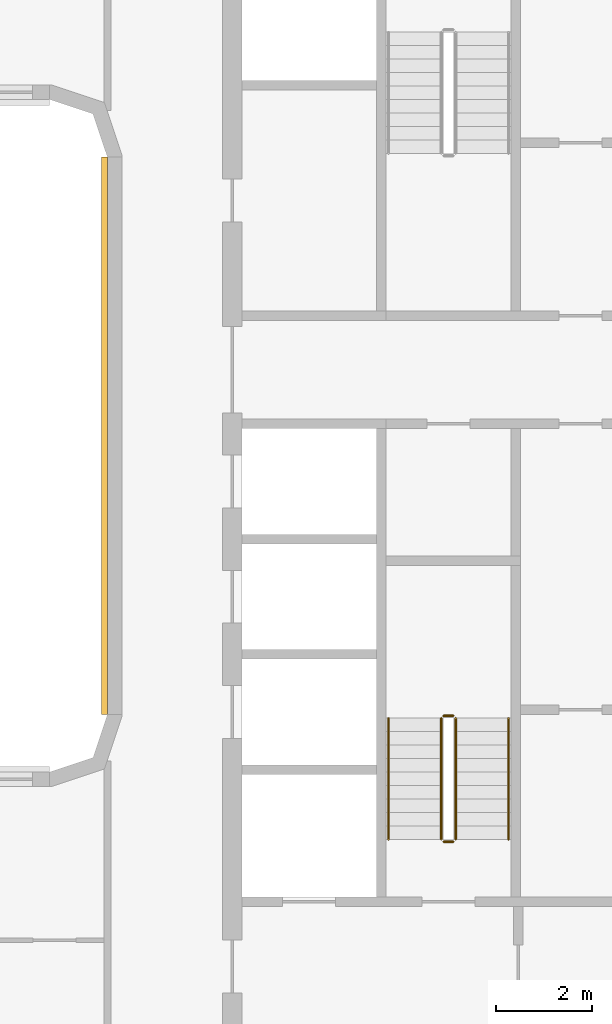
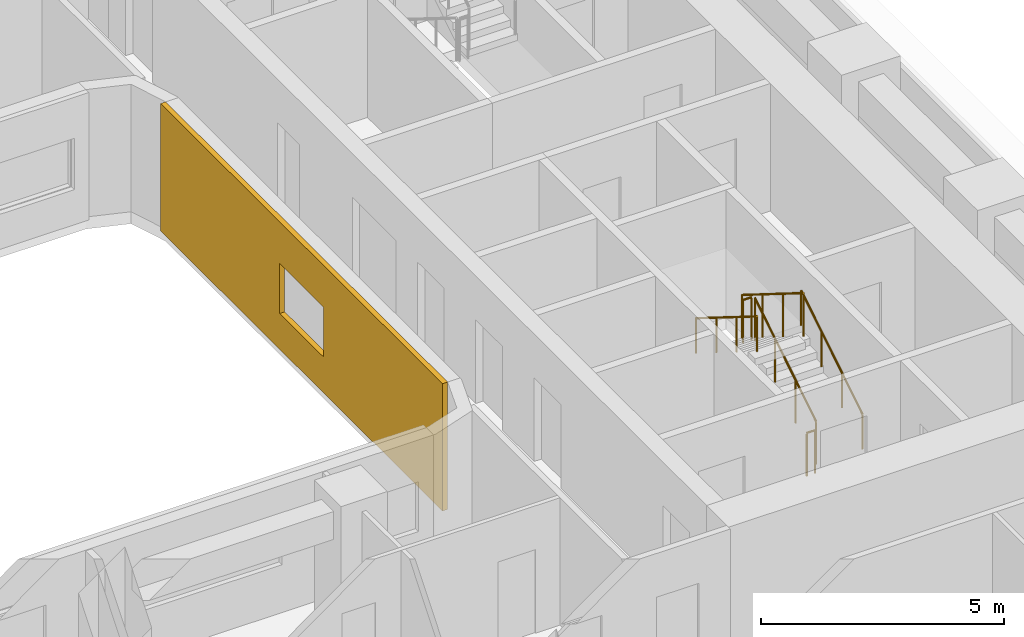
# One storey, part 17 of 22: 6 railings, 1 covering.
"""IFC4 building model written with IfcOpenShell, lengths in metres."""

from ifc_helpers import new_model, si_unit, direction, frame, origin, origin_2d, place, context, subcontext, project, spatial, polyline, circle, outline, extrude, material, layer, layer_set, type_object, element, save


model = new_model("IFC4")

# Units and contexts
model_context = context("Model", 3, precision=1e-05, world=origin(), true_north=direction((0.0, 1.0)))
body_context = subcontext(model_context, "Body", "Model", "MODEL_VIEW")
ifc_project = project(units=[si_unit("LENGTHUNIT", "METRE"), si_unit("AREAUNIT", "SQUARE_METRE"), si_unit("VOLUMEUNIT", "CUBIC_METRE"), si_unit("PLANEANGLEUNIT", "RADIAN"), si_unit("MASSUNIT", "GRAM", prefix="KILO")], contexts=[model_context])

# Site, building, storey
site_placement = place(None, origin())
site = spatial("IfcSite", under=ifc_project, at=site_placement, CompositionType="ELEMENT")
building_placement = place(site_placement, origin())
building = spatial("IfcBuilding", under=site, at=building_placement, Name="Kiln Ring Residences", CompositionType="ELEMENT")
storey_placement = place(building_placement, frame((0.0, 0.0, 58.5)))
storey = spatial("IfcBuildingStorey", under=building, at=storey_placement, Name="L14", CompositionType="ELEMENT", Elevation=58.5)

# Railings
ifc_material_1 = material(Name="Stainless steel", Category="steel")
railing_type_1 = type_object("IfcRailingType", Name="CORE-STAIR-GUARD", PredefinedType="GUARDRAIL", material=ifc_material_1)
railing_1_placement = place(storey_placement, frame((22.25, -8.39990234375, 0.175048828125)))
element("IfcRailing", 1, at=railing_1_placement, inside=storey, type_object=railing_type_1, Name="L14 E-STS stair guard 1", PredefinedType="GUARDRAIL", context=body_context, shape_type="SweptSolid", body=[
    extrude(circle(Radius=0.02392578125, at=origin_2d()), frame((0.0, 0.0, 1.076171875), z_axis=(0.0, 0.848007534815, 0.529984170421), x_axis=(-1.0, 0.0, 0.0)), (0.0, 0.0, 1.0), 2.9716796875),
    extrude(circle(Radius=0.02099609375, at=origin_2d()), origin(), (0.0, 0.0, 1.0), 1.052001953125),
    extrude(circle(Radius=0.02099609375, at=origin_2d()), frame((0.0, 0.840087890625, 0.52490234375)), (0.0, 0.0, 1.0), 1.052001953125),
    extrude(circle(Radius=0.02099609375, at=origin_2d()), frame((0.0, 1.679931640625, 1.050048828125)), (0.0, 0.0, 1.0), 1.052001953125),
    extrude(circle(Radius=0.02099609375, at=origin_2d()), frame((0.0, 2.52001953125, 1.574951171875)), (0.0, 0.0, 1.0), 1.052001953125),
])
railing_2_placement = place(storey_placement, frame((22.199951171875, -5.830078125, 1.75)))
element("IfcRailing", 2, at=railing_2_placement, inside=storey, type_object=railing_type_1, Name="L14 E-STS stair guard 2", PredefinedType="GUARDRAIL", context=body_context, shape_type="SweptSolid", body=[
    extrude(circle(Radius=0.02392578125, at=origin_2d()), frame((0.0, 0.0, 1.076171875), z_axis=(-1.0, 0.0, 0.0), x_axis=(0.0, -1.0, 0.0)), (0.0, 0.0, 1.0), 0.199951171875),
    extrude(circle(Radius=0.02099609375, at=origin_2d()), origin(), (0.0, 0.0, 1.0), 1.052001953125),
    extrude(circle(Radius=0.02099609375, at=origin_2d()), frame((-0.199951171875, 0.0, 0.0)), (0.0, 0.0, 1.0), 1.052001953125),
])
railing_3_placement = place(storey_placement, frame((21.949951171875, -5.8798828125, 1.925048828125)))
element("IfcRailing", 3, at=railing_3_placement, inside=storey, type_object=railing_type_1, Name="L14 E-STS stair guard 3", PredefinedType="GUARDRAIL", context=body_context, shape_type="SweptSolid", body=[
    extrude(circle(Radius=0.02392578125, at=origin_2d()), frame((0.0, 0.0, 1.076171875), z_axis=(0.0, -0.848007534815, 0.529984170421), x_axis=(1.0, 0.0, 0.0)), (0.0, 0.0, 1.0), 2.9716796875),
    extrude(circle(Radius=0.02099609375, at=origin_2d()), origin(), (0.0, 0.0, 1.0), 1.052001953125),
    extrude(circle(Radius=0.02099609375, at=origin_2d()), frame((0.0, -0.840087890625, 0.52490234375)), (0.0, 0.0, 1.0), 1.052001953125),
    extrude(circle(Radius=0.02099609375, at=origin_2d()), frame((0.0, -1.679931640625, 1.050048828125)), (0.0, 0.0, 1.0), 1.052001953125),
    extrude(circle(Radius=0.02099609375, at=origin_2d()), frame((0.0, -2.52001953125, 1.574951171875)), (0.0, 0.0, 1.0), 1.052001953125),
])
railing_4_placement = place(storey_placement, frame((22.199951171875, -8.449951171875, 0.0)))
element("IfcRailing", 4, at=railing_4_placement, inside=storey, type_object=railing_type_1, Name="L14 E-STS stair guard 4", PredefinedType="GUARDRAIL", context=body_context, shape_type="SweptSolid", body=[
    extrude(circle(Radius=0.02392578125, at=origin_2d()), frame((0.0, 0.0, 1.076171875), z_axis=(-1.0, 0.0, 0.0), x_axis=(0.0, -1.0, 0.0)), (0.0, 0.0, 1.0), 0.199951171875),
    extrude(circle(Radius=0.02099609375, at=origin_2d()), origin(), (0.0, 0.0, 1.0), 1.052001953125),
    extrude(circle(Radius=0.02099609375, at=origin_2d()), frame((-0.199951171875, 0.0, 0.0)), (0.0, 0.0, 1.0), 1.052001953125),
])
ifc_material_2 = material(Name="Stainless steel", Category="steel")
railing_type_2 = type_object("IfcRailingType", Name="CORE-STAIR-HANDRAIL", PredefinedType="HANDRAIL", material=ifc_material_2)
railing_5_placement = place(storey_placement, frame((23.35009765625, -8.39990234375, 0.175048828125)))
element("IfcRailing", 5, at=railing_5_placement, inside=storey, type_object=railing_type_2, Name="L14 E-STS stair handrail 1", PredefinedType="HANDRAIL", context=body_context, shape_type="SweptSolid", body=[
    extrude(circle(Radius=0.02392578125, at=origin_2d()), frame((0.0, 0.0, 0.8759765625), z_axis=(0.0, 0.848007534815, 0.529984170421), x_axis=(-1.0, 0.0, 0.0)), (0.0, 0.0, 1.0), 2.9716796875),
    extrude(circle(Radius=0.02099609375, at=origin_2d()), origin(), (0.0, 0.0, 1.0), 0.851806640625),
    extrude(circle(Radius=0.02099609375, at=origin_2d()), frame((0.0, 0.840087890625, 0.52490234375)), (0.0, 0.0, 1.0), 0.851806640625),
    extrude(circle(Radius=0.02099609375, at=origin_2d()), frame((0.0, 1.679931640625, 1.050048828125)), (0.0, 0.0, 1.0), 0.851806640625),
    extrude(circle(Radius=0.02099609375, at=origin_2d()), frame((0.0, 2.52001953125, 1.574951171875)), (0.0, 0.0, 1.0), 0.851806640625),
])
railing_6_placement = place(storey_placement, frame((20.85009765625, -5.8798828125, 1.925048828125)))
element("IfcRailing", 6, at=railing_6_placement, inside=storey, type_object=railing_type_2, Name="L14 E-STS stair handrail 2", PredefinedType="HANDRAIL", context=body_context, shape_type="SweptSolid", body=[
    extrude(circle(Radius=0.02392578125, at=origin_2d()), frame((0.0, 0.0, 0.8759765625), z_axis=(0.0, -0.848007534815, 0.529984170421), x_axis=(1.0, 0.0, 0.0)), (0.0, 0.0, 1.0), 2.9716796875),
    extrude(circle(Radius=0.02099609375, at=origin_2d()), origin(), (0.0, 0.0, 1.0), 0.851806640625),
    extrude(circle(Radius=0.02099609375, at=origin_2d()), frame((0.0, -0.840087890625, 0.52490234375)), (0.0, 0.0, 1.0), 0.851806640625),
    extrude(circle(Radius=0.02099609375, at=origin_2d()), frame((0.0, -1.679931640625, 1.050048828125)), (0.0, 0.0, 1.0), 0.851806640625),
    extrude(circle(Radius=0.02099609375, at=origin_2d()), frame((0.0, -2.52001953125, 1.574951171875)), (0.0, 0.0, 1.0), 0.851806640625),
])

# Covering
ifc_material_3 = material(Name="Brick masonry, dark clay brick", Category="masonry")
ifc_layer = layer(ifc_material_3, 0.1201171875)
ifc_layer_set = layer_set([ifc_layer], Name="RAINSCREEN PANEL 120")
covering_type = type_object("IfcCoveringType", Name="RAINSCREEN PANEL 120", PredefinedType="CLADDING", material=ifc_layer_set)
covering_placement = place(storey_placement, frame((14.93994140625, 5.800048828125, 0.0), z_axis=(0.0, 0.0, 1.0), x_axis=(0.0, -1.0, 0.0)))
element("IfcCovering", 7, at=covering_placement, inside=storey, type_object=covering_type, Name="RAINSCREEN L14", PredefinedType="CLADDING", context=body_context, shape_type="SweptSolid", body=[
    extrude(outline(polyline([(0.0, 0.0), (11.60009765625, 0.0), (11.60009765625, 3.199951171875), (0.0, 3.199951171875), (0.0, 0.0)]), holes=[polyline([(4.89990234375, 2.14990234375), (4.89990234375, 0.89990234375), (6.699951171875, 0.89990234375), (6.699951171875, 2.14990234375), (4.89990234375, 2.14990234375)])]), frame((0.0, 0.06005859375, 0.0), z_axis=(0.0, -1.0, 0.0), x_axis=(1.0, 0.0, 0.0)), (0.0, 0.0, 1.0), 0.1201171875),
])

save(model, "model.ifc")
